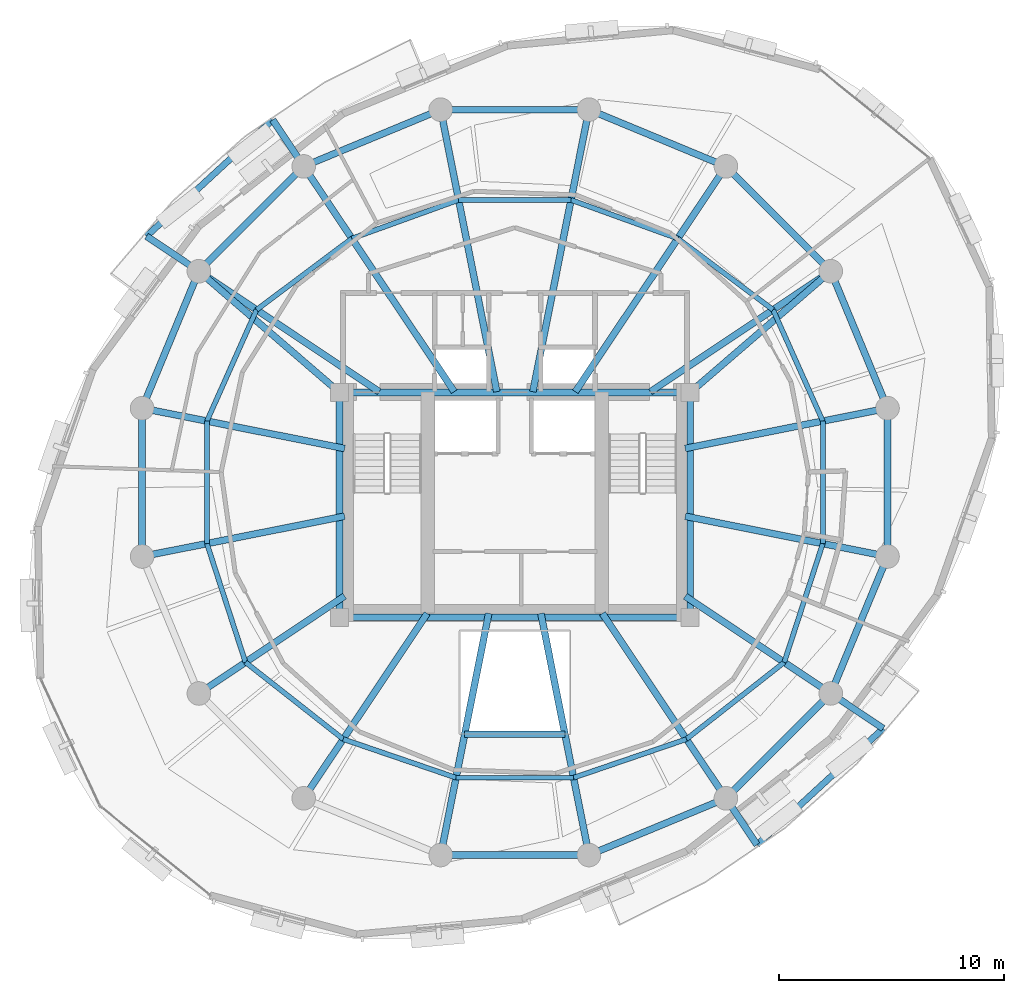
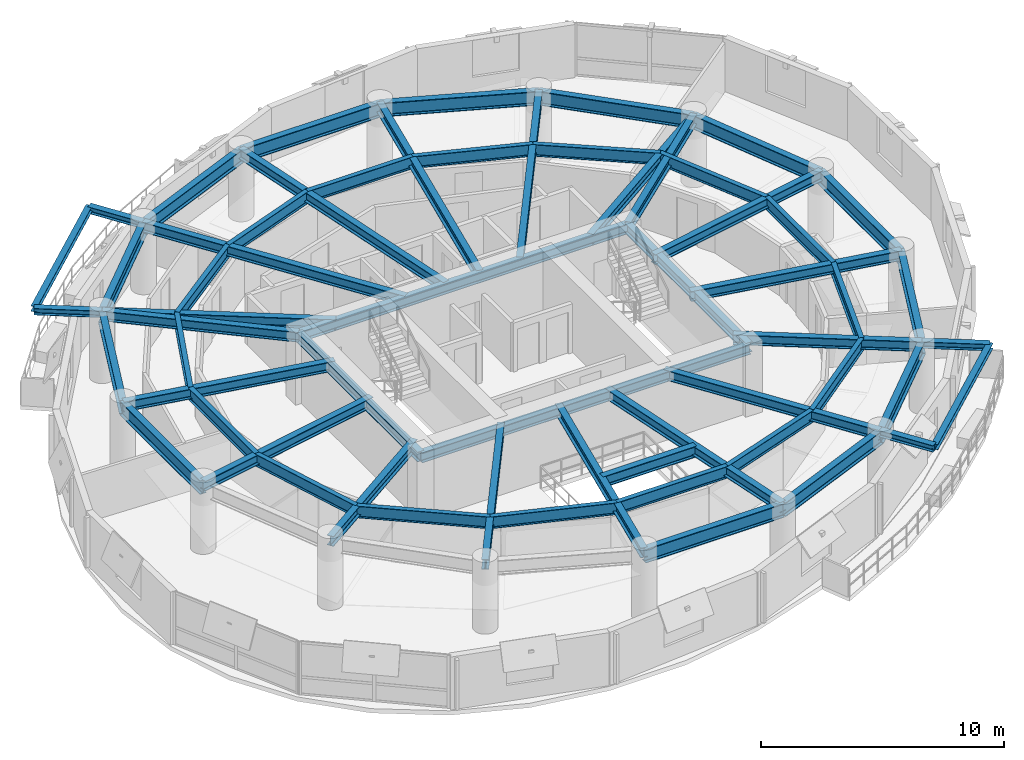
# One storey, part 5 of 12: 58 beams.
"""IFC4 building model written with IfcOpenShell, lengths in metres."""

from ifc_helpers import new_model, si_unit, direction, frame, origin, origin_2d, place, context, subcontext, project, spatial, i_section, extrude, material, material_profile, profile_set, type_object, element, save


model = new_model("IFC4")

# Units and contexts
model_context = context("Model", 3, precision=1e-05, world=origin(), true_north=direction((0.0, 1.0)))
body_context = subcontext(model_context, "Body", "Model", "MODEL_VIEW")
ifc_project = project(units=[si_unit("LENGTHUNIT", "METRE"), si_unit("AREAUNIT", "SQUARE_METRE"), si_unit("VOLUMEUNIT", "CUBIC_METRE"), si_unit("PLANEANGLEUNIT", "RADIAN"), si_unit("MASSUNIT", "GRAM", prefix="KILO"), si_unit("THERMODYNAMICTEMPERATUREUNIT", "KELVIN"), si_unit("POWERUNIT", "WATT")], contexts=[model_context])

# Site, building, storey
site_placement = place(None, origin())
site = spatial("IfcSite", under=ifc_project, at=site_placement, CompositionType="ELEMENT")
building_placement = place(site_placement, origin())
building = spatial("IfcBuilding", under=site, at=building_placement, Name="Ocrelia Relay Tower", CompositionType="ELEMENT")
storey_placement = place(building_placement, frame((0.0, 0.0, 191.60009765625)))
storey = spatial("IfcBuildingStorey", under=building, at=storey_placement, Name="L46", CompositionType="ELEMENT", Elevation=191.60009765625)

# Beams
ifc_material = material(Name="Steel S355", Category="steel")
ifc_material_profile_1 = material_profile(ifc_material, i_section(OverallWidth=0.280029296875, OverallDepth=0.27001953125, WebThickness=0.008056640625, FlangeThickness=0.012939453125, FilletRadius=0.02392578125, at=origin_2d()), Name="HEA 280")
ifc_profile_set_1 = profile_set([ifc_material_profile_1], Name="Steel S355")
beam_type_1 = type_object("IfcBeamType", Name="BM-HEA280", PredefinedType="BEAM", material=ifc_profile_set_1)
for number, where, z_axis, x_axis, name in (
    (1, (23.230224609375, 42.117919921875, 3.244873046875), (-0.735372249789, -0.677663378264, 0.0), (0.677663378264, -0.735372249789, 0.0), "L47 Balcony Edge Trimmer Beam B1"),
    (2, (44.769775390625, 9.882080078125, 3.244873046875), (0.735372249789, 0.677663378264, 0.0), (-0.677663378264, 0.735372249789, 0.0), "L47 Balcony Edge Trimmer Beam B2"),
):
    element("IfcBeam", number, at=place(storey_placement, frame(where, z_axis=z_axis, x_axis=x_axis)), inside=storey, type_object=beam_type_1, Name=name, PredefinedType="BEAM", context=body_context, shape_type="SweptSolid", body=[
        extrude(i_section(OverallWidth=0.280029296875, OverallDepth=0.27001953125, WebThickness=0.008056640625, FlangeThickness=0.012939453125, FilletRadius=0.02392578125, at=origin_2d()), origin(), (0.0, 0.0, 1.0), 7.6318359375),
    ])
ifc_material_profile_2 = material_profile(ifc_material, i_section(OverallWidth=0.300048828125, OverallDepth=0.330078125, WebThickness=0.009521484375, FlangeThickness=0.0166015625, FilletRadius=0.027099609375, at=origin_2d()), Name="HEA 340")
ifc_profile_set_2 = profile_set([ifc_material_profile_2], Name="Steel S355")
beam_type_2 = type_object("IfcBeamType", Name="BM-HEA340", PredefinedType="BEAM", material=ifc_profile_set_2)
beam_1_placement = place(storey_placement, frame((24.61083984375, 40.0517578125, 3.21484375), z_axis=(-0.555584101735, 0.831460345356, 0.0), x_axis=(-0.831460345356, -0.555584101735, 0.0)))
element("IfcBeam", 3, at=beam_1_placement, inside=storey, type_object=beam_type_2, Name="L47 Balcony Cantilever Beam B1-1", PredefinedType="BEAM", context=body_context, shape_type="SweptSolid", body=[
    extrude(i_section(OverallWidth=0.300048828125, OverallDepth=0.330078125, WebThickness=0.009521484375, FlangeThickness=0.0166015625, FilletRadius=0.027099609375, at=origin_2d()), origin(), (0.0, 0.0, 1.0), 2.48486328125),
])
beam_2_placement = place(storey_placement, frame((19.9482421875, 35.38916015625, 3.21484375), z_axis=(-0.831500399593, 0.555524153819, 0.0), x_axis=(-0.555524153819, -0.831500399593, 0.0)))
element("IfcBeam", 4, at=beam_2_placement, inside=storey, type_object=beam_type_2, Name="L47 Balcony Cantilever Beam B1-2", PredefinedType="BEAM", context=body_context, shape_type="SweptSolid", body=[
    extrude(i_section(OverallWidth=0.300048828125, OverallDepth=0.330078125, WebThickness=0.009521484375, FlangeThickness=0.0166015625, FilletRadius=0.027099609375, at=origin_2d()), origin(), (0.0, 0.0, 1.0), 2.802490234375),
])
beam_3_placement = place(storey_placement, frame((43.38916015625, 11.9482421875, 3.21484375), z_axis=(0.555584101735, -0.831460345356, 0.0), x_axis=(0.831460345356, 0.555584101735, 0.0)))
element("IfcBeam", 5, at=beam_3_placement, inside=storey, type_object=beam_type_2, Name="L47 Balcony Cantilever Beam B2-1", PredefinedType="BEAM", context=body_context, shape_type="SweptSolid", body=[
    extrude(i_section(OverallWidth=0.300048828125, OverallDepth=0.330078125, WebThickness=0.009521484375, FlangeThickness=0.0166015625, FilletRadius=0.027099609375, at=origin_2d()), origin(), (0.0, 0.0, 1.0), 2.48486328125),
])
beam_4_placement = place(storey_placement, frame((48.0517578125, 16.61083984375, 3.21484375), z_axis=(0.831500399593, -0.555524153819, 0.0), x_axis=(0.555524153819, 0.831500399593, 0.0)))
element("IfcBeam", 6, at=beam_4_placement, inside=storey, type_object=beam_type_2, Name="L47 Balcony Cantilever Beam B2-2", PredefinedType="BEAM", context=body_context, shape_type="SweptSolid", body=[
    extrude(i_section(OverallWidth=0.300048828125, OverallDepth=0.330078125, WebThickness=0.009521484375, FlangeThickness=0.0166015625, FilletRadius=0.027099609375, at=origin_2d()), origin(), (0.0, 0.0, 1.0), 2.802490234375),
])
ifc_material_profile_3 = material_profile(ifc_material, i_section(OverallWidth=0.300048828125, OverallDepth=0.5, WebThickness=0.014404296875, FlangeThickness=0.028076171875, FilletRadius=0.027099609375, at=origin_2d()), Name="HEB 500")
ifc_profile_set_3 = profile_set([ifc_material_profile_3], Name="Steel S355")
beam_type_3 = type_object("IfcBeamType", Name="BM-HEB500", PredefinedType="BEAM", material=ifc_profile_set_3)
for number, where, z_axis, x_axis, name in (
    (7, (26.199951171875, 20.0, 3.1298828125), (1.0, 0.0, 0.0), (0.0, 1.0, 0.0), "L46 Core Pilaster Tie Beam S"),
    (8, (26.199951171875, 30.0, 3.1298828125), (1.0, 0.0, 0.0), (0.0, 1.0, 0.0), "L46 Core Pilaster Tie Beam N"),
):
    element("IfcBeam", number, at=place(storey_placement, frame(where, z_axis=z_axis, x_axis=x_axis)), inside=storey, type_object=beam_type_3, Name=name, PredefinedType="BEAM", context=body_context, shape_type="SweptSolid", body=[
        extrude(i_section(OverallWidth=0.300048828125, OverallDepth=0.5, WebThickness=0.014404296875, FlangeThickness=0.028076171875, FilletRadius=0.027099609375, at=origin_2d()), origin(), (0.0, 0.0, 1.0), 15.60009765625),
    ])
for number, where, z_axis, x_axis, name in (
    (9, (26.199951171875, 20.0, 3.1298828125), (0.0, 1.0, 0.0), (-1.0, 0.0, 0.0), "L46 Core Pilaster Tie Beam W"),
    (10, (41.800048828125, 20.0, 3.1298828125), (0.0, 1.0, 0.0), (-1.0, 0.0, 0.0), "L46 Core Pilaster Tie Beam E"),
):
    element("IfcBeam", number, at=place(storey_placement, frame(where, z_axis=z_axis, x_axis=x_axis)), inside=storey, type_object=beam_type_3, Name=name, PredefinedType="BEAM", context=body_context, shape_type="SweptSolid", body=[
        extrude(i_section(OverallWidth=0.300048828125, OverallDepth=0.5, WebThickness=0.014404296875, FlangeThickness=0.028076171875, FilletRadius=0.027099609375, at=origin_2d()), origin(), (0.0, 0.0, 1.0), 10.0),
    ])
beam_5_placement = place(storey_placement, frame((50.5751953125, 29.297119140625, 3.1298828125), z_axis=(-0.980783891197, -0.1950973059, 0.0), x_axis=(0.1950973059, -0.980783891197, 0.0)))
element("IfcBeam", 11, at=beam_5_placement, inside=storey, type_object=beam_type_3, Name="L46 Radial Floor Girder R01", PredefinedType="BEAM", context=body_context, shape_type="SweptSolid", body=[
    extrude(i_section(OverallWidth=0.300048828125, OverallDepth=0.5, WebThickness=0.014404296875, FlangeThickness=0.028076171875, FilletRadius=0.027099609375, at=origin_2d()), origin(), (0.0, 0.0, 1.0), 9.17138671875),
])
beam_6_placement = place(storey_placement, frame((48.0517578125, 35.38916015625, 3.1298828125), z_axis=(-0.831469666235, -0.555570152305, 0.0), x_axis=(0.555570152305, -0.831469666235, 0.0)))
element("IfcBeam", 12, at=beam_6_placement, inside=storey, type_object=beam_type_3, Name="L46 Radial Floor Girder R02", PredefinedType="BEAM", context=body_context, shape_type="SweptSolid", body=[
    extrude(i_section(OverallWidth=0.300048828125, OverallDepth=0.5, WebThickness=0.014404296875, FlangeThickness=0.028076171875, FilletRadius=0.027099609375, at=origin_2d()), origin(), (0.0, 0.0, 1.0), 9.646240234375),
])
beam_7_placement = place(storey_placement, frame((48.0517578125, 35.38916015625, 3.1298828125), z_axis=(-0.757424589403, -0.652922653434, 0.0), x_axis=(0.652922653434, -0.757424589403, 0.0)))
element("IfcBeam", 13, at=beam_7_placement, inside=storey, type_object=beam_type_3, Name="L46 Core Pilaster Frame Tie Beam PT02", PredefinedType="BEAM", context=body_context, shape_type="SweptSolid", body=[
    extrude(i_section(OverallWidth=0.300048828125, OverallDepth=0.5, WebThickness=0.014404296875, FlangeThickness=0.028076171875, FilletRadius=0.027099609375, at=origin_2d()), origin(), (0.0, 0.0, 1.0), 8.25390625),
])
beam_8_placement = place(storey_placement, frame((43.38916015625, 40.0517578125, 3.1298828125), z_axis=(-0.55556932408, -0.831470219636, 0.0), x_axis=(0.831470219636, -0.55556932408, 0.0)))
element("IfcBeam", 14, at=beam_8_placement, inside=storey, type_object=beam_type_3, Name="L46 Radial Floor Girder R03", PredefinedType="BEAM", context=body_context, shape_type="SweptSolid", body=[
    extrude(i_section(OverallWidth=0.300048828125, OverallDepth=0.5, WebThickness=0.014404296875, FlangeThickness=0.028076171875, FilletRadius=0.027099609375, at=origin_2d()), origin(), (0.0, 0.0, 1.0), 12.052978515625),
])
for number, where, z_axis, x_axis, name in (
    (15, (37.297119140625, 42.5751953125, 3.1298828125), (-0.195106626135, -0.980782037171, 0.0), (0.980782037171, -0.195106626135, 0.0), "L46 Radial Floor Girder R04"),
    (16, (30.702880859375, 42.5751953125, 3.1298828125), (0.195106626135, -0.980782037171, 0.0), (0.980782037171, 0.195106626135, 0.0), "L46 Radial Floor Girder R05"),
):
    element("IfcBeam", number, at=place(storey_placement, frame(where, z_axis=z_axis, x_axis=x_axis)), inside=storey, type_object=beam_type_3, Name=name, PredefinedType="BEAM", context=body_context, shape_type="SweptSolid", body=[
        extrude(i_section(OverallWidth=0.300048828125, OverallDepth=0.5, WebThickness=0.014404296875, FlangeThickness=0.028076171875, FilletRadius=0.027099609375, at=origin_2d()), origin(), (0.0, 0.0, 1.0), 12.791015625),
    ])
beam_9_placement = place(storey_placement, frame((24.61083984375, 40.0517578125, 3.1298828125), z_axis=(0.55556932408, -0.831470219636, 0.0), x_axis=(0.831470219636, 0.55556932408, 0.0)))
element("IfcBeam", 17, at=beam_9_placement, inside=storey, type_object=beam_type_3, Name="L46 Radial Floor Girder R06", PredefinedType="BEAM", context=body_context, shape_type="SweptSolid", body=[
    extrude(i_section(OverallWidth=0.300048828125, OverallDepth=0.5, WebThickness=0.014404296875, FlangeThickness=0.028076171875, FilletRadius=0.027099609375, at=origin_2d()), origin(), (0.0, 0.0, 1.0), 12.052978515625),
])
beam_10_placement = place(storey_placement, frame((19.9482421875, 35.38916015625, 3.1298828125), z_axis=(0.831469666235, -0.555570152305, 0.0), x_axis=(0.555570152305, 0.831469666235, 0.0)))
element("IfcBeam", 18, at=beam_10_placement, inside=storey, type_object=beam_type_3, Name="L46 Radial Floor Girder R07", PredefinedType="BEAM", context=body_context, shape_type="SweptSolid", body=[
    extrude(i_section(OverallWidth=0.300048828125, OverallDepth=0.5, WebThickness=0.014404296875, FlangeThickness=0.028076171875, FilletRadius=0.027099609375, at=origin_2d()), origin(), (0.0, 0.0, 1.0), 9.646240234375),
])
beam_11_placement = place(storey_placement, frame((19.9482421875, 35.38916015625, 3.1298828125), z_axis=(0.757424589403, -0.652922653434, 0.0), x_axis=(0.652922653434, 0.757424589403, 0.0)))
element("IfcBeam", 19, at=beam_11_placement, inside=storey, type_object=beam_type_3, Name="L46 Core Pilaster Frame Tie Beam PT07", PredefinedType="BEAM", context=body_context, shape_type="SweptSolid", body=[
    extrude(i_section(OverallWidth=0.300048828125, OverallDepth=0.5, WebThickness=0.014404296875, FlangeThickness=0.028076171875, FilletRadius=0.027099609375, at=origin_2d()), origin(), (0.0, 0.0, 1.0), 8.25390625),
])
for number, where, z_axis, x_axis, name in (
    (20, (17.4248046875, 29.297119140625, 3.1298828125), (0.980784683446, -0.195093323097, 0.0), (0.195093323097, 0.980784683446, 0.0), "L46 Radial Floor Girder R08"),
    (21, (17.4248046875, 22.702880859375, 3.1298828125), (0.980784683446, 0.195093323097, 0.0), (-0.195093323097, 0.980784683446, 0.0), "L46 Radial Floor Girder R09"),
):
    element("IfcBeam", number, at=place(storey_placement, frame(where, z_axis=z_axis, x_axis=x_axis)), inside=storey, type_object=beam_type_3, Name=name, PredefinedType="BEAM", context=body_context, shape_type="SweptSolid", body=[
        extrude(i_section(OverallWidth=0.300048828125, OverallDepth=0.5, WebThickness=0.014404296875, FlangeThickness=0.028076171875, FilletRadius=0.027099609375, at=origin_2d()), origin(), (0.0, 0.0, 1.0), 9.181640625),
    ])
beam_12_placement = place(storey_placement, frame((19.9482421875, 16.61083984375, 3.1298828125), z_axis=(0.831462012084, 0.555581607382, 0.0), x_axis=(-0.555581607382, 0.831462012084, 0.0)))
element("IfcBeam", 22, at=beam_12_placement, inside=storey, type_object=beam_type_3, Name="L46 Radial Floor Girder R10", PredefinedType="BEAM", context=body_context, shape_type="SweptSolid", body=[
    extrude(i_section(OverallWidth=0.300048828125, OverallDepth=0.5, WebThickness=0.014404296875, FlangeThickness=0.028076171875, FilletRadius=0.027099609375, at=origin_2d()), origin(), (0.0, 0.0, 1.0), 7.795654296875),
])
beam_13_placement = place(storey_placement, frame((24.61083984375, 11.9482421875, 3.1298828125), z_axis=(0.555577337069, 0.831464865485, 0.0), x_axis=(-0.831464865485, 0.555577337069, 0.0)))
element("IfcBeam", 23, at=beam_13_placement, inside=storey, type_object=beam_type_3, Name="L46 Radial Floor Girder R11", PredefinedType="BEAM", context=body_context, shape_type="SweptSolid", body=[
    extrude(i_section(OverallWidth=0.300048828125, OverallDepth=0.5, WebThickness=0.014404296875, FlangeThickness=0.028076171875, FilletRadius=0.027099609375, at=origin_2d()), origin(), (0.0, 0.0, 1.0), 9.88818359375),
])
for number, where, z_axis, x_axis, name in (
    (24, (30.702880859375, 9.4248046875, 3.1298828125), (0.195100373206, 0.980783281044, 0.0), (-0.980783281044, 0.195100373206, 0.0), "L46 Radial Floor Girder R12"),
    (25, (37.297119140625, 9.4248046875, 3.1298828125), (-0.195100373206, 0.980783281044, 0.0), (-0.980783281044, -0.195100373206, 0.0), "L46 Radial Floor Girder R13"),
):
    element("IfcBeam", number, at=place(storey_placement, frame(where, z_axis=z_axis, x_axis=x_axis)), inside=storey, type_object=beam_type_3, Name=name, PredefinedType="BEAM", context=body_context, shape_type="SweptSolid", body=[
        extrude(i_section(OverallWidth=0.300048828125, OverallDepth=0.5, WebThickness=0.014404296875, FlangeThickness=0.028076171875, FilletRadius=0.027099609375, at=origin_2d()), origin(), (0.0, 0.0, 1.0), 10.95556640625),
    ])
beam_14_placement = place(storey_placement, frame((43.38916015625, 11.9482421875, 3.1298828125), z_axis=(-0.555577337069, 0.831464865485, 0.0), x_axis=(-0.831464865485, -0.555577337069, 0.0)))
element("IfcBeam", 26, at=beam_14_placement, inside=storey, type_object=beam_type_3, Name="L46 Radial Floor Girder R14", PredefinedType="BEAM", context=body_context, shape_type="SweptSolid", body=[
    extrude(i_section(OverallWidth=0.300048828125, OverallDepth=0.5, WebThickness=0.014404296875, FlangeThickness=0.028076171875, FilletRadius=0.027099609375, at=origin_2d()), origin(), (0.0, 0.0, 1.0), 9.88818359375),
])
beam_15_placement = place(storey_placement, frame((48.0517578125, 16.61083984375, 3.1298828125), z_axis=(-0.831456272244, 0.555590197309, 0.0), x_axis=(-0.555590197309, -0.831456272244, 0.0)))
element("IfcBeam", 27, at=beam_15_placement, inside=storey, type_object=beam_type_3, Name="L46 Radial Floor Girder R15", PredefinedType="BEAM", context=body_context, shape_type="SweptSolid", body=[
    extrude(i_section(OverallWidth=0.300048828125, OverallDepth=0.5, WebThickness=0.014404296875, FlangeThickness=0.028076171875, FilletRadius=0.027099609375, at=origin_2d()), origin(), (0.0, 0.0, 1.0), 7.783447265625),
])
beam_16_placement = place(storey_placement, frame((50.5751953125, 22.702880859375, 3.1298828125), z_axis=(-0.980783891197, 0.1950973059, 0.0), x_axis=(-0.1950973059, -0.980783891197, 0.0)))
element("IfcBeam", 28, at=beam_16_placement, inside=storey, type_object=beam_type_3, Name="L46 Radial Floor Girder R16", PredefinedType="BEAM", context=body_context, shape_type="SweptSolid", body=[
    extrude(i_section(OverallWidth=0.300048828125, OverallDepth=0.5, WebThickness=0.014404296875, FlangeThickness=0.028076171875, FilletRadius=0.027099609375, at=origin_2d()), origin(), (0.0, 0.0, 1.0), 9.17138671875),
])
ifc_material_profile_4 = material_profile(ifc_material, i_section(OverallWidth=0.300048828125, OverallDepth=0.550048828125, WebThickness=0.014892578125, FlangeThickness=0.029052734375, FilletRadius=0.027099609375, at=origin_2d()), Name="HEB 550")
ifc_profile_set_4 = profile_set([ifc_material_profile_4], Name="Steel S355")
beam_type_4 = type_object("IfcBeamType", Name="BM-HEB550", PredefinedType="BEAM", material=ifc_profile_set_4)
beam_17_placement = place(storey_placement, frame((31.772216796875, 14.800048828125, 3.10498046875), z_axis=(1.0, 0.0, 0.0), x_axis=(0.0, 1.0, 0.0)))
element("IfcBeam", 29, at=beam_17_placement, inside=storey, type_object=beam_type_4, Name="L46 Atrium South Trimmer Beam", PredefinedType="BEAM", context=body_context, shape_type="SweptSolid", body=[
    extrude(i_section(OverallWidth=0.300048828125, OverallDepth=0.550048828125, WebThickness=0.014892578125, FlangeThickness=0.029052734375, FilletRadius=0.027099609375, at=origin_2d()), origin(), (0.0, 0.0, 1.0), 4.45556640625),
])
ifc_material_profile_5 = material_profile(ifc_material, i_section(OverallWidth=0.300048828125, OverallDepth=0.699951171875, WebThickness=0.01708984375, FlangeThickness=0.031982421875, FilletRadius=0.027099609375, at=origin_2d()), Name="HEB 700")
ifc_profile_set_5 = profile_set([ifc_material_profile_5], Name="Steel S355")
beam_type_5 = type_object("IfcBeamType", Name="BM-HEB700", PredefinedType="BEAM", material=ifc_profile_set_5)
for number, where, z_axis, x_axis, name in (
    (30, (50.5751953125, 29.297119140625, 3.02978515625), (-0.382687508402, 0.923877844151, 0.0), (-0.923877844151, -0.382687508402, 0.0), "L46 Perimeter Spandrel Beam S01"),
    (31, (48.0517578125, 35.38916015625, 3.02978515625), (-0.707106781187, 0.707106781187, 0.0), (-0.707106781187, -0.707106781187, 0.0), "L46 Perimeter Spandrel Beam S02"),
    (32, (43.38916015625, 40.0517578125, 3.02978515625), (-0.923877844151, 0.382687508402, 0.0), (-0.382687508402, -0.923877844151, 0.0), "L46 Perimeter Spandrel Beam S03"),
):
    element("IfcBeam", number, at=place(storey_placement, frame(where, z_axis=z_axis, x_axis=x_axis)), inside=storey, type_object=beam_type_5, Name=name, PredefinedType="BEAM", context=body_context, shape_type="SweptSolid", body=[
        extrude(i_section(OverallWidth=0.300048828125, OverallDepth=0.699951171875, WebThickness=0.01708984375, FlangeThickness=0.031982421875, FilletRadius=0.027099609375, at=origin_2d()), origin(), (0.0, 0.0, 1.0), 6.593994140625),
    ])
beam_18_placement = place(storey_placement, frame((37.297119140625, 42.5751953125, 3.02978515625), z_axis=(-1.0, 0.0, 0.0), x_axis=(0.0, -1.0, 0.0)))
element("IfcBeam", 33, at=beam_18_placement, inside=storey, type_object=beam_type_5, Name="L46 Perimeter Spandrel Beam S04", PredefinedType="BEAM", context=body_context, shape_type="SweptSolid", body=[
    extrude(i_section(OverallWidth=0.300048828125, OverallDepth=0.699951171875, WebThickness=0.01708984375, FlangeThickness=0.031982421875, FilletRadius=0.027099609375, at=origin_2d()), origin(), (0.0, 0.0, 1.0), 6.59423828125),
])
for number, where, z_axis, x_axis, name in (
    (34, (30.702880859375, 42.5751953125, 3.02978515625), (-0.923877844151, -0.382687508402, 0.0), (0.382687508402, -0.923877844151, 0.0), "L46 Perimeter Spandrel Beam S05"),
    (35, (24.61083984375, 40.0517578125, 3.02978515625), (-0.707106781187, -0.707106781187, 0.0), (0.707106781187, -0.707106781187, 0.0), "L46 Perimeter Spandrel Beam S06"),
    (36, (19.9482421875, 35.38916015625, 3.02978515625), (-0.382687508402, -0.923877844151, 0.0), (0.923877844151, -0.382687508402, 0.0), "L46 Perimeter Spandrel Beam S07"),
):
    element("IfcBeam", number, at=place(storey_placement, frame(where, z_axis=z_axis, x_axis=x_axis)), inside=storey, type_object=beam_type_5, Name=name, PredefinedType="BEAM", context=body_context, shape_type="SweptSolid", body=[
        extrude(i_section(OverallWidth=0.300048828125, OverallDepth=0.699951171875, WebThickness=0.01708984375, FlangeThickness=0.031982421875, FilletRadius=0.027099609375, at=origin_2d()), origin(), (0.0, 0.0, 1.0), 6.593994140625),
    ])
for number, where, z_axis, x_axis, name in (
    (37, (17.4248046875, 29.297119140625, 3.02978515625), (0.0, -1.0, 0.0), (1.0, 0.0, 0.0), "L46 Perimeter Spandrel Beam S08"),
    (38, (30.702880859375, 9.4248046875, 3.02978515625), (1.0, 0.0, 0.0), (0.0, 1.0, 0.0), "L46 Perimeter Spandrel Beam S12"),
):
    element("IfcBeam", number, at=place(storey_placement, frame(where, z_axis=z_axis, x_axis=x_axis)), inside=storey, type_object=beam_type_5, Name=name, PredefinedType="BEAM", context=body_context, shape_type="SweptSolid", body=[
        extrude(i_section(OverallWidth=0.300048828125, OverallDepth=0.699951171875, WebThickness=0.01708984375, FlangeThickness=0.031982421875, FilletRadius=0.027099609375, at=origin_2d()), origin(), (0.0, 0.0, 1.0), 6.59423828125),
    ])
for number, where, z_axis, x_axis, name in (
    (39, (37.297119140625, 9.4248046875, 3.02978515625), (0.923877844151, 0.382687508402, 0.0), (-0.382687508402, 0.923877844151, 0.0), "L46 Perimeter Spandrel Beam S13"),
    (40, (43.38916015625, 11.9482421875, 3.02978515625), (0.707106781187, 0.707106781187, 0.0), (-0.707106781187, 0.707106781187, 0.0), "L46 Perimeter Spandrel Beam S14"),
    (41, (48.0517578125, 16.61083984375, 3.02978515625), (0.382687508402, 0.923877844151, 0.0), (-0.923877844151, 0.382687508402, 0.0), "L46 Perimeter Spandrel Beam S15"),
):
    element("IfcBeam", number, at=place(storey_placement, frame(where, z_axis=z_axis, x_axis=x_axis)), inside=storey, type_object=beam_type_5, Name=name, PredefinedType="BEAM", context=body_context, shape_type="SweptSolid", body=[
        extrude(i_section(OverallWidth=0.300048828125, OverallDepth=0.699951171875, WebThickness=0.01708984375, FlangeThickness=0.031982421875, FilletRadius=0.027099609375, at=origin_2d()), origin(), (0.0, 0.0, 1.0), 6.593994140625),
    ])
beam_19_placement = place(storey_placement, frame((50.5751953125, 22.702880859375, 3.02978515625), z_axis=(0.0, 1.0, 0.0), x_axis=(-1.0, 0.0, 0.0)))
element("IfcBeam", 42, at=beam_19_placement, inside=storey, type_object=beam_type_5, Name="L46 Perimeter Spandrel Beam S16", PredefinedType="BEAM", context=body_context, shape_type="SweptSolid", body=[
    extrude(i_section(OverallWidth=0.300048828125, OverallDepth=0.699951171875, WebThickness=0.01708984375, FlangeThickness=0.031982421875, FilletRadius=0.027099609375, at=origin_2d()), origin(), (0.0, 0.0, 1.0), 6.59423828125),
])
ifc_material_profile_6 = material_profile(ifc_material, i_section(OverallWidth=0.219970703125, OverallDepth=0.60009765625, WebThickness=0.011962890625, FlangeThickness=0.01904296875, FilletRadius=0.02392578125, at=origin_2d()), Name="IPE 600")
ifc_profile_set_6 = profile_set([ifc_material_profile_6], Name="Steel S355")
beam_type_6 = type_object("IfcBeamType", Name="BM-IPE600", PredefinedType="JOIST", material=ifc_profile_set_6)
beam_20_placement = place(storey_placement, frame((47.69677734375, 28.724365234375, 3.079833984375), z_axis=(-0.407938464853, 0.913009424318, 0.0), x_axis=(-0.913009424318, -0.407938464853, 0.0)))
element("IfcBeam", 43, at=beam_20_placement, inside=storey, type_object=beam_type_6, Name="L46 Secondary Floor Joist J01", PredefinedType="JOIST", context=body_context, shape_type="SweptSolid", body=[
    extrude(i_section(OverallWidth=0.219970703125, OverallDepth=0.60009765625, WebThickness=0.011962890625, FlangeThickness=0.01904296875, FilletRadius=0.02392578125, at=origin_2d()), origin(), (0.0, 0.0, 1.0), 5.421630859375),
])
beam_21_placement = place(storey_placement, frame((45.485107421875, 33.67431640625, 3.079833984375), z_axis=(-0.800785247359, 0.598951573678, 0.0), x_axis=(-0.598951573678, -0.800785247359, 0.0)))
element("IfcBeam", 44, at=beam_21_placement, inside=storey, type_object=beam_type_6, Name="L46 Secondary Floor Joist J02", PredefinedType="JOIST", context=body_context, shape_type="SweptSolid", body=[
    extrude(i_section(OverallWidth=0.219970703125, OverallDepth=0.60009765625, WebThickness=0.011962890625, FlangeThickness=0.01904296875, FilletRadius=0.02392578125, at=origin_2d()), origin(), (0.0, 0.0, 1.0), 5.293212890625),
])
beam_22_placement = place(storey_placement, frame((41.246337890625, 36.8447265625, 3.079833984375), z_axis=(-0.940453871246, 0.339921338046, 0.0), x_axis=(-0.339921338046, -0.940453871246, 0.0)))
element("IfcBeam", 45, at=beam_22_placement, inside=storey, type_object=beam_type_6, Name="L46 Secondary Floor Joist J03", PredefinedType="JOIST", context=body_context, shape_type="SweptSolid", body=[
    extrude(i_section(OverallWidth=0.219970703125, OverallDepth=0.60009765625, WebThickness=0.011962890625, FlangeThickness=0.01904296875, FilletRadius=0.02392578125, at=origin_2d()), origin(), (0.0, 0.0, 1.0), 5.04833984375),
])
beam_23_placement = place(storey_placement, frame((36.49853515625, 38.560791015625, 3.079833984375), z_axis=(-1.0, 0.0, 0.0), x_axis=(0.0, -1.0, 0.0)))
element("IfcBeam", 46, at=beam_23_placement, inside=storey, type_object=beam_type_6, Name="L46 Secondary Floor Joist J04", PredefinedType="JOIST", context=body_context, shape_type="SweptSolid", body=[
    extrude(i_section(OverallWidth=0.219970703125, OverallDepth=0.60009765625, WebThickness=0.011962890625, FlangeThickness=0.01904296875, FilletRadius=0.02392578125, at=origin_2d()), origin(), (0.0, 0.0, 1.0), 4.9970703125),
])
beam_24_placement = place(storey_placement, frame((31.50146484375, 38.560791015625, 3.079833984375), z_axis=(-0.940453871246, -0.339921338046, 0.0), x_axis=(0.339921338046, -0.940453871246, 0.0)))
element("IfcBeam", 47, at=beam_24_placement, inside=storey, type_object=beam_type_6, Name="L46 Secondary Floor Joist J05", PredefinedType="JOIST", context=body_context, shape_type="SweptSolid", body=[
    extrude(i_section(OverallWidth=0.219970703125, OverallDepth=0.60009765625, WebThickness=0.011962890625, FlangeThickness=0.01904296875, FilletRadius=0.02392578125, at=origin_2d()), origin(), (0.0, 0.0, 1.0), 5.04833984375),
])
beam_25_placement = place(storey_placement, frame((26.753662109375, 36.8447265625, 3.079833984375), z_axis=(-0.800785247359, -0.598951573678, 0.0), x_axis=(0.598951573678, -0.800785247359, 0.0)))
element("IfcBeam", 48, at=beam_25_placement, inside=storey, type_object=beam_type_6, Name="L46 Secondary Floor Joist J06", PredefinedType="JOIST", context=body_context, shape_type="SweptSolid", body=[
    extrude(i_section(OverallWidth=0.219970703125, OverallDepth=0.60009765625, WebThickness=0.011962890625, FlangeThickness=0.01904296875, FilletRadius=0.02392578125, at=origin_2d()), origin(), (0.0, 0.0, 1.0), 5.293212890625),
])
beam_26_placement = place(storey_placement, frame((22.514892578125, 33.67431640625, 3.079833984375), z_axis=(-0.407416785709, -0.913242335157, 0.0), x_axis=(0.913242335157, -0.407416785709, 0.0)))
element("IfcBeam", 49, at=beam_26_placement, inside=storey, type_object=beam_type_6, Name="L46 Secondary Floor Joist J07", PredefinedType="JOIST", context=body_context, shape_type="SweptSolid", body=[
    extrude(i_section(OverallWidth=0.219970703125, OverallDepth=0.60009765625, WebThickness=0.011962890625, FlangeThickness=0.01904296875, FilletRadius=0.02392578125, at=origin_2d()), origin(), (0.0, 0.0, 1.0), 5.420654296875),
])
beam_27_placement = place(storey_placement, frame((20.306396484375, 28.723876953125, 3.079833984375), z_axis=(0.0, -1.0, 0.0), x_axis=(1.0, 0.0, 0.0)))
element("IfcBeam", 50, at=beam_27_placement, inside=storey, type_object=beam_type_6, Name="L46 Secondary Floor Joist J08", PredefinedType="JOIST", context=body_context, shape_type="SweptSolid", body=[
    extrude(i_section(OverallWidth=0.219970703125, OverallDepth=0.60009765625, WebThickness=0.011962890625, FlangeThickness=0.01904296875, FilletRadius=0.02392578125, at=origin_2d()), origin(), (0.0, 0.0, 1.0), 5.44775390625),
])
beam_28_placement = place(storey_placement, frame((20.306396484375, 23.276123046875, 3.079833984375), z_axis=(0.309133805786, -0.951018554036, 0.0), x_axis=(0.951018554036, 0.309133805786, 0.0)))
element("IfcBeam", 51, at=beam_28_placement, inside=storey, type_object=beam_type_6, Name="L46 Secondary Floor Joist J09", PredefinedType="JOIST", context=body_context, shape_type="SweptSolid", body=[
    extrude(i_section(OverallWidth=0.219970703125, OverallDepth=0.60009765625, WebThickness=0.011962890625, FlangeThickness=0.01904296875, FilletRadius=0.02392578125, at=origin_2d()), origin(), (0.0, 0.0, 1.0), 5.55126953125),
])
beam_29_placement = place(storey_placement, frame((22.0224609375, 17.996826171875, 3.079833984375), z_axis=(0.786083859045, -0.618119864224, 0.0), x_axis=(0.618119864224, 0.786083859045, 0.0)))
element("IfcBeam", 52, at=beam_29_placement, inside=storey, type_object=beam_type_6, Name="L46 Secondary Floor Joist J10", PredefinedType="JOIST", context=body_context, shape_type="SweptSolid", body=[
    extrude(i_section(OverallWidth=0.219970703125, OverallDepth=0.60009765625, WebThickness=0.011962890625, FlangeThickness=0.01904296875, FilletRadius=0.02392578125, at=origin_2d()), origin(), (0.0, 0.0, 1.0), 5.529296875),
])
beam_30_placement = place(storey_placement, frame((26.368896484375, 14.5791015625, 3.079833984375), z_axis=(0.946215174492, -0.323538009454, 0.0), x_axis=(0.323538009454, 0.946215174492, 0.0)))
element("IfcBeam", 53, at=beam_30_placement, inside=storey, type_object=beam_type_6, Name="L46 Secondary Floor Joist J11", PredefinedType="JOIST", context=body_context, shape_type="SweptSolid", body=[
    extrude(i_section(OverallWidth=0.219970703125, OverallDepth=0.60009765625, WebThickness=0.011962890625, FlangeThickness=0.01904296875, FilletRadius=0.02392578125, at=origin_2d()), origin(), (0.0, 0.0, 1.0), 5.30322265625),
])
beam_31_placement = place(storey_placement, frame((31.386962890625, 12.86328125, 3.079833984375), z_axis=(1.0, 0.0, 0.0), x_axis=(0.0, 1.0, 0.0)))
element("IfcBeam", 54, at=beam_31_placement, inside=storey, type_object=beam_type_6, Name="L46 Secondary Floor Joist J12", PredefinedType="JOIST", context=body_context, shape_type="SweptSolid", body=[
    extrude(i_section(OverallWidth=0.219970703125, OverallDepth=0.60009765625, WebThickness=0.011962890625, FlangeThickness=0.01904296875, FilletRadius=0.02392578125, at=origin_2d()), origin(), (0.0, 0.0, 1.0), 5.22607421875),
])
beam_32_placement = place(storey_placement, frame((36.613037109375, 12.86328125, 3.079833984375), z_axis=(0.946215174492, 0.323538009454, 0.0), x_axis=(-0.323538009454, 0.946215174492, 0.0)))
element("IfcBeam", 55, at=beam_32_placement, inside=storey, type_object=beam_type_6, Name="L46 Secondary Floor Joist J13", PredefinedType="JOIST", context=body_context, shape_type="SweptSolid", body=[
    extrude(i_section(OverallWidth=0.219970703125, OverallDepth=0.60009765625, WebThickness=0.011962890625, FlangeThickness=0.01904296875, FilletRadius=0.02392578125, at=origin_2d()), origin(), (0.0, 0.0, 1.0), 5.30322265625),
])
beam_33_placement = place(storey_placement, frame((41.631103515625, 14.5791015625, 3.079833984375), z_axis=(0.78649600233, 0.617595367793, 0.0), x_axis=(-0.617595367793, 0.78649600233, 0.0)))
element("IfcBeam", 56, at=beam_33_placement, inside=storey, type_object=beam_type_6, Name="L46 Secondary Floor Joist J14", PredefinedType="JOIST", context=body_context, shape_type="SweptSolid", body=[
    extrude(i_section(OverallWidth=0.219970703125, OverallDepth=0.60009765625, WebThickness=0.011962890625, FlangeThickness=0.01904296875, FilletRadius=0.02392578125, at=origin_2d()), origin(), (0.0, 0.0, 1.0), 5.5302734375),
])
beam_34_placement = place(storey_placement, frame((45.980712890625, 17.99462890625, 3.079833984375), z_axis=(0.309043322978, 0.95104796121, 0.0), x_axis=(-0.95104796121, 0.309043322978, 0.0)))
element("IfcBeam", 57, at=beam_34_placement, inside=storey, type_object=beam_type_6, Name="L46 Secondary Floor Joist J15", PredefinedType="JOIST", context=body_context, shape_type="SweptSolid", body=[
    extrude(i_section(OverallWidth=0.219970703125, OverallDepth=0.60009765625, WebThickness=0.011962890625, FlangeThickness=0.01904296875, FilletRadius=0.02392578125, at=origin_2d()), origin(), (0.0, 0.0, 1.0), 5.552734375),
])
beam_35_placement = place(storey_placement, frame((47.69677734375, 23.275634765625, 3.079833984375), z_axis=(0.0, 1.0, 0.0), x_axis=(-1.0, 0.0, 0.0)))
element("IfcBeam", 58, at=beam_35_placement, inside=storey, type_object=beam_type_6, Name="L46 Secondary Floor Joist J16", PredefinedType="JOIST", context=body_context, shape_type="SweptSolid", body=[
    extrude(i_section(OverallWidth=0.219970703125, OverallDepth=0.60009765625, WebThickness=0.011962890625, FlangeThickness=0.01904296875, FilletRadius=0.02392578125, at=origin_2d()), origin(), (0.0, 0.0, 1.0), 5.44873046875),
])

save(model, "model.ifc")
